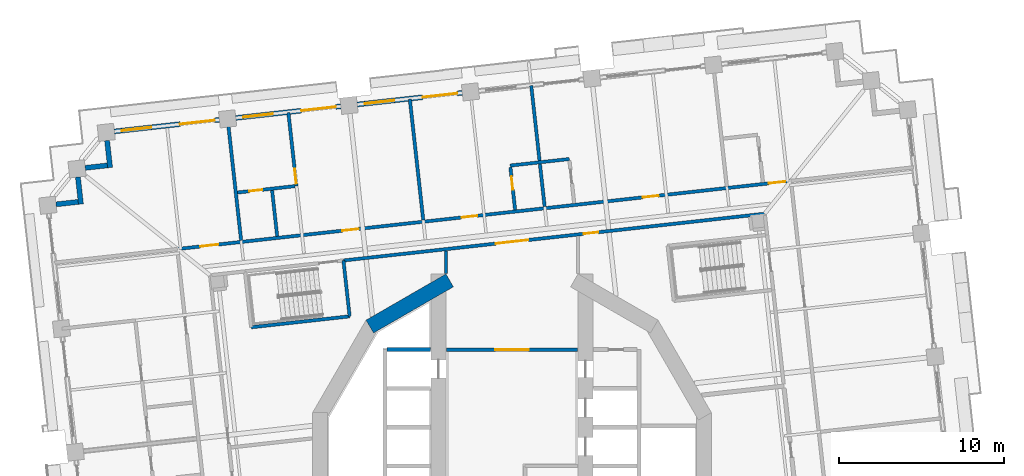
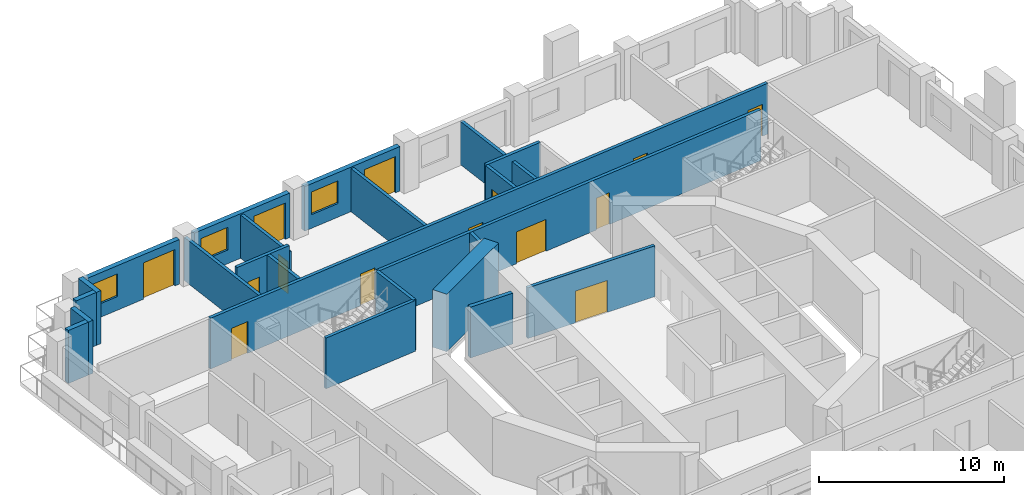
# One storey, part 11 of 21: 23 walls, 14 doors, 3 windows, 17 openings.
"""IFC4 building model written with IfcOpenShell, lengths in metres."""

from ifc_helpers import new_model, si_unit, direction, frame, frame_2d, origin, place, context, subcontext, project, spatial, rectangle, extrude, material, layer, layer_set, type_object, element, fill, save


model = new_model("IFC4")

# Units and contexts
model_context = context("Model", 3, precision=1e-05, world=origin(), true_north=direction((0.0, 1.0)))
body_context = subcontext(model_context, "Body", "Model", "MODEL_VIEW")
ifc_project = project(units=[si_unit("LENGTHUNIT", "METRE"), si_unit("AREAUNIT", "SQUARE_METRE"), si_unit("VOLUMEUNIT", "CUBIC_METRE"), si_unit("PLANEANGLEUNIT", "RADIAN"), si_unit("MASSUNIT", "GRAM", prefix="KILO")], contexts=[model_context])

# Site, building, storey
site_placement = place(None, origin())
site = spatial("IfcSite", under=ifc_project, at=site_placement, CompositionType="ELEMENT")
building_placement = place(site_placement, origin())
building = spatial("IfcBuilding", under=site, at=building_placement, Name="Cantera Rosa Tower", CompositionType="ELEMENT")
storey_placement = place(building_placement, frame((0.0, 0.0, 80.5)))
storey = spatial("IfcBuildingStorey", under=building, at=storey_placement, Name="L17", CompositionType="ELEMENT", Elevation=80.5)

# Wall
ifc_material_1 = material(Name="Gypsum board partition")
ifc_layer_1 = layer(ifc_material_1, 0.199951171875)
ifc_layer_set_1 = layer_set([ifc_layer_1], Name="CORRIDOR WALL 200 H3350")
wall_type_1 = type_object("IfcWallType", Name="CORRIDOR WALL 200 H3350", PredefinedType="PARTITIONING", material=ifc_layer_set_1)
wall_1_placement = place(storey_placement, frame((-4.0, 13.038818359375, 0.0), z_axis=(0.0, 0.0, 1.0), x_axis=(0.0, -1.0, 0.0)))
element("IfcWall", 1, at=wall_1_placement, inside=storey, type_object=wall_type_1, Name="CORRIDOR WALL L17-050", PredefinedType="PARTITIONING", context=body_context, shape_type="SweptSolid", body=[
    extrude(rectangle(XDim=1.37158203125, YDim=0.199951171875, at=frame_2d((0.685791015625, 0.0))), origin(), (0.0, 0.0, 1.0), 3.35009765625),
])

# Wall, opening, door
wall_2_placement = place(storey_placement, frame((-3.969970703125, 7.050048828125, 0.0), z_axis=(0.0, 0.0, 1.0), x_axis=(1.0, 0.0, 0.0)))
wall_2 = element("IfcWall", 2, at=wall_2_placement, inside=storey, type_object=wall_type_1, Name="CORRIDOR WALL L17-051", PredefinedType="PARTITIONING", context=body_context, shape_type="SweptSolid", body=[
    extrude(rectangle(XDim=7.93994140625, YDim=0.199951171875, at=frame_2d((3.969970703125, 0.0))), origin(), (0.0, 0.0, 1.0), 3.35009765625),
])
opening_1_placement = place(wall_2_placement, frame((2.969970703125, 0.0, 0.0)))
opening_1 = element("IfcOpeningElement", 3, at=opening_1_placement, cuts=wall_2, Name="Opening L17-011", PredefinedType="OPENING", context=body_context, shape_type="SweptSolid", body=[
    extrude(rectangle(XDim=2.0, YDim=2.10009765625, at=frame_2d((1.0, 1.050048828125))), frame((0.0, 0.10986328125, 0.0), z_axis=(0.0, -1.0, 0.0), x_axis=(1.0, 0.0, 0.0)), (0.0, 0.0, 1.0), 0.219970703125),
])
ifc_material_2 = material(Name="Steel S355J2 (EN 10025-2)", Category="steel")
door_type_1 = type_object("IfcDoorType", Name="LOBBY SCREEN DOOR 2000x2100", OperationType="NOTDEFINED", PredefinedType="DOOR", material=ifc_material_2)
door_1_placement = place(opening_1_placement, origin())
door_1 = element("IfcDoor", 4, at=door_1_placement, inside=storey, type_object=door_type_1, Name="DOOR L17-011", OperationType="NOTDEFINED", OverallHeight=2.10009765625, OverallWidth=2.0, PredefinedType="DOOR", context=body_context, shape_type="SweptSolid", body=[
    extrude(rectangle(XDim=2.0, YDim=2.10009765625, at=frame_2d((1.0, 1.050048828125))), frame((0.0, 0.02490234375, 0.0), z_axis=(0.0, -1.0, 0.0), x_axis=(1.0, 0.0, 0.0)), (0.0, 0.0, 1.0), 0.050048828125),
])
fill(opening_1, door_1)

# Wall, openings, doors
wall_3_placement = place(storey_placement, frame((15.3076171875, 15.281982421875, 0.0), z_axis=(0.0, 0.0, 1.0), x_axis=(-0.993896137152, -0.110319846599, 0.0)))
wall_3 = element("IfcWall", 5, at=wall_3_placement, inside=storey, type_object=wall_type_1, Name="CORRIDOR WALL L17-086", PredefinedType="PARTITIONING", context=body_context, shape_type="SweptSolid", body=[
    extrude(rectangle(XDim=25.67333984375, YDim=0.199951171875, at=frame_2d((12.836669921875, 0.0))), origin(), (0.0, 0.0, 1.0), 3.35009765625),
])
opening_2_placement = place(wall_3_placement, frame((10.141357421875, 0.0, 0.0)))
opening_2 = element("IfcOpeningElement", 6, at=opening_2_placement, cuts=wall_3, Name="Opening L17-005", PredefinedType="OPENING", context=body_context, shape_type="SweptSolid", body=[
    extrude(rectangle(XDim=0.89990234375, YDim=2.10009765625, at=frame_2d((0.449951171875, 1.050048828125))), frame((0.0, 0.10986328125, 0.0), z_axis=(0.0, -1.0, 0.0), x_axis=(1.0, 0.0, 0.0)), (0.0, 0.0, 1.0), 0.219970703125),
])
opening_3_placement = place(wall_3_placement, frame((14.401611328125, 0.0, 0.0)))
opening_3 = element("IfcOpeningElement", 7, at=opening_3_placement, cuts=wall_3, Name="Opening L17-010", PredefinedType="OPENING", context=body_context, shape_type="SweptSolid", body=[
    extrude(rectangle(XDim=2.0, YDim=2.10009765625, at=frame_2d((1.0, 1.050048828125))), frame((0.0, 0.10986328125, 0.0), z_axis=(0.0, -1.0, 0.0), x_axis=(1.0, 0.0, 0.0)), (0.0, 0.0, 1.0), 0.219970703125),
])
door_2_placement = place(opening_3_placement, origin())
door_2 = element("IfcDoor", 8, at=door_2_placement, inside=storey, type_object=door_type_1, Name="DOOR L17-010", OperationType="NOTDEFINED", OverallHeight=2.10009765625, OverallWidth=2.0, PredefinedType="DOOR", context=body_context, shape_type="SweptSolid", body=[
    extrude(rectangle(XDim=2.0, YDim=2.10009765625, at=frame_2d((1.0, 1.050048828125))), frame((0.0, 0.02490234375, 0.0), z_axis=(0.0, -1.0, 0.0), x_axis=(1.0, 0.0, 0.0)), (0.0, 0.0, 1.0), 0.050048828125),
])
fill(opening_3, door_2)
ifc_material_3 = material(Name="Timber door leaf", Category="wood")
door_type_2 = type_object("IfcDoorType", Name="SERVICE DOOR 900x2100", OperationType="NOTDEFINED", PredefinedType="DOOR", material=ifc_material_3)
door_3_placement = place(opening_2_placement, origin())
door_3 = element("IfcDoor", 9, at=door_3_placement, inside=storey, type_object=door_type_2, Name="DOOR L17-005", OperationType="NOTDEFINED", OverallHeight=2.10009765625, OverallWidth=0.89990234375, PredefinedType="DOOR", context=body_context, shape_type="SweptSolid", body=[
    extrude(rectangle(XDim=0.89990234375, YDim=2.10009765625, at=frame_2d((0.449951171875, 1.050048828125))), frame((0.0, 0.02490234375, 0.0), z_axis=(0.0, -1.0, 0.0), x_axis=(1.0, 0.0, 0.0)), (0.0, 0.0, 1.0), 0.050048828125),
])
fill(opening_2, door_3)

wall_4_placement = place(storey_placement, frame((16.898193359375, 17.26953125, 0.0), z_axis=(0.0, 0.0, 1.0), x_axis=(-0.993896862852, -0.11031330841, 0.0)))
wall_4 = element("IfcWall", 10, at=wall_4_placement, inside=storey, type_object=wall_type_1, Name="CORRIDOR WALL L17-094", PredefinedType="PARTITIONING", context=body_context, shape_type="SweptSolid", body=[
    extrude(rectangle(XDim=37.400146484375, YDim=0.199951171875, at=frame_2d((18.7001953125, 0.0))), origin(), (0.0, 0.0, 1.0), 3.35009765625),
])
opening_4_placement = place(wall_4_placement, frame((8.074951171875, 0.0, 0.0)))
opening_4 = element("IfcOpeningElement", 11, at=opening_4_placement, cuts=wall_4, Name="Opening L17-020", PredefinedType="OPENING", context=body_context, shape_type="SweptSolid", body=[
    extrude(rectangle(XDim=0.949951171875, YDim=2.10009765625, at=frame_2d((0.47509765625, 1.050048828125))), frame((0.0, 0.10986328125, 0.0), z_axis=(0.0, -1.0, 0.0), x_axis=(1.0, 0.0, 0.0)), (0.0, 0.0, 1.0), 0.219970703125),
])
opening_5_placement = place(wall_4_placement, frame((19.125, 0.0, 0.0)))
opening_5 = element("IfcOpeningElement", 12, at=opening_5_placement, cuts=wall_4, Name="Opening L17-022", PredefinedType="OPENING", context=body_context, shape_type="SweptSolid", body=[
    extrude(rectangle(XDim=0.949951171875, YDim=2.10009765625, at=frame_2d((0.47509765625, 1.050048828125))), frame((0.0, 0.10986328125, 0.0), z_axis=(0.0, -1.0, 0.0), x_axis=(1.0, 0.0, 0.0)), (0.0, 0.0, 1.0), 0.219970703125),
])
opening_6_placement = place(wall_4_placement, frame((26.35009765625, 0.0, 0.0)))
opening_6 = element("IfcOpeningElement", 13, at=opening_6_placement, cuts=wall_4, Name="Opening L17-024", PredefinedType="OPENING", context=body_context, shape_type="SweptSolid", body=[
    extrude(rectangle(XDim=1.0, YDim=2.10009765625, at=frame_2d((0.5, 1.050048828125))), frame((0.0, 0.10986328125, 0.0), z_axis=(0.0, -1.0, 0.0), x_axis=(1.0, 0.0, 0.0)), (0.0, 0.0, 1.0), 0.219970703125),
])
opening_7_placement = place(wall_4_placement, frame((0.35009765625, 0.0, 0.0)))
opening_7 = element("IfcOpeningElement", 14, at=opening_7_placement, cuts=wall_4, Name="Opening L17-027", PredefinedType="OPENING", context=body_context, shape_type="SweptSolid", body=[
    extrude(rectangle(XDim=1.0, YDim=2.10009765625, at=frame_2d((0.5, 1.050048828125))), frame((0.0, 0.10986328125, 0.0), z_axis=(0.0, -1.0, 0.0), x_axis=(1.0, 0.0, 0.0)), (0.0, 0.0, 1.0), 0.219970703125),
])
opening_8_placement = place(wall_4_placement, frame((34.89990234375, 0.0, 0.0)))
opening_8 = element("IfcOpeningElement", 15, at=opening_8_placement, cuts=wall_4, Name="Opening L17-029", PredefinedType="OPENING", context=body_context, shape_type="SweptSolid", body=[
    extrude(rectangle(XDim=1.10009765625, YDim=2.10009765625, at=frame_2d((0.550048828125, 1.050048828125))), frame((0.0, 0.10986328125, 0.0), z_axis=(0.0, -1.0, 0.0), x_axis=(1.0, 0.0, 0.0)), (0.0, 0.0, 1.0), 0.219970703125),
])
ifc_material_4 = material(Name="Timber door leaf", Category="wood")
door_type_3 = type_object("IfcDoorType", Name="ENTRANCE DOOR 1000x2100", OperationType="NOTDEFINED", PredefinedType="DOOR", material=ifc_material_4)
door_4_placement = place(opening_6_placement, origin())
door_4 = element("IfcDoor", 16, at=door_4_placement, inside=storey, type_object=door_type_3, Name="DOOR L17-024", OperationType="NOTDEFINED", OverallHeight=2.10009765625, OverallWidth=1.0, PredefinedType="DOOR", context=body_context, shape_type="SweptSolid", body=[
    extrude(rectangle(XDim=1.0, YDim=2.10009765625, at=frame_2d((0.5, 1.050048828125))), frame((0.0, 0.02490234375, 0.0), z_axis=(0.0, -1.0, 0.0), x_axis=(1.0, 0.0, 0.0)), (0.0, 0.0, 1.0), 0.050048828125),
])
fill(opening_6, door_4)
door_5_placement = place(opening_7_placement, origin())
door_5 = element("IfcDoor", 17, at=door_5_placement, inside=storey, type_object=door_type_3, Name="DOOR L17-027", OperationType="NOTDEFINED", OverallHeight=2.10009765625, OverallWidth=1.0, PredefinedType="DOOR", context=body_context, shape_type="SweptSolid", body=[
    extrude(rectangle(XDim=1.0, YDim=2.10009765625, at=frame_2d((0.5, 1.050048828125))), frame((0.0, 0.02490234375, 0.0), z_axis=(0.0, -1.0, 0.0), x_axis=(1.0, 0.0, 0.0)), (0.0, 0.0, 1.0), 0.050048828125),
])
fill(opening_7, door_5)
ifc_material_5 = material(Name="Timber door leaf", Category="wood")
door_type_4 = type_object("IfcDoorType", Name="ROOM DOOR 1100x2100", OperationType="NOTDEFINED", PredefinedType="DOOR", material=ifc_material_5)
door_6_placement = place(opening_8_placement, origin())
door_6 = element("IfcDoor", 18, at=door_6_placement, inside=storey, type_object=door_type_4, Name="DOOR L17-029", OperationType="NOTDEFINED", OverallHeight=2.10009765625, OverallWidth=1.10009765625, PredefinedType="DOOR", context=body_context, shape_type="SweptSolid", body=[
    extrude(rectangle(XDim=1.10009765625, YDim=2.10009765625, at=frame_2d((0.550048828125, 1.050048828125))), frame((0.0, 0.02490234375, 0.0), z_axis=(0.0, -1.0, 0.0), x_axis=(1.0, 0.0, 0.0)), (0.0, 0.0, 1.0), 0.050048828125),
])
fill(opening_8, door_6)
ifc_material_6 = material(Name="Timber door leaf", Category="wood")
door_type_5 = type_object("IfcDoorType", Name="ROOM DOOR 950x2100", OperationType="NOTDEFINED", PredefinedType="DOOR", material=ifc_material_6)
door_7_placement = place(opening_4_placement, origin())
door_7 = element("IfcDoor", 19, at=door_7_placement, inside=storey, type_object=door_type_5, Name="DOOR L17-020", OperationType="NOTDEFINED", OverallHeight=2.10009765625, OverallWidth=0.949951171875, PredefinedType="DOOR", context=body_context, shape_type="SweptSolid", body=[
    extrude(rectangle(XDim=0.949951171875, YDim=2.10009765625, at=frame_2d((0.47509765625, 1.050048828125))), frame((0.0, 0.02490234375, 0.0), z_axis=(0.0, -1.0, 0.0), x_axis=(1.0, 0.0, 0.0)), (0.0, 0.0, 1.0), 0.050048828125),
])
fill(opening_4, door_7)
door_8_placement = place(opening_5_placement, origin())
door_8 = element("IfcDoor", 20, at=door_8_placement, inside=storey, type_object=door_type_5, Name="DOOR L17-022", OperationType="NOTDEFINED", OverallHeight=2.10009765625, OverallWidth=0.949951171875, PredefinedType="DOOR", context=body_context, shape_type="SweptSolid", body=[
    extrude(rectangle(XDim=0.949951171875, YDim=2.10009765625, at=frame_2d((0.47509765625, 1.050048828125))), frame((0.0, 0.02490234375, 0.0), z_axis=(0.0, -1.0, 0.0), x_axis=(1.0, 0.0, 0.0)), (0.0, 0.0, 1.0), 0.050048828125),
])
fill(opening_5, door_8)

# Walls
ifc_material_7 = material(Name="Hollow clay masonry with cantera stone cladding", Category="masonry")
ifc_layer_2 = layer(ifc_material_7, 0.300048828125)
ifc_layer_set_2 = layer_set([ifc_layer_2], Name="EW-LOGGIA 300")
wall_type_2 = type_object("IfcWallType", Name="EW-LOGGIA 300", PredefinedType="SOLIDWALL", material=ifc_layer_set_2)
wall_5_placement = place(storey_placement, frame((-24.5244140625, 19.71484375, 0.0), z_axis=(0.0, 0.0, 1.0), x_axis=(0.110236638423, -0.993905369514, 0.0)))
element("IfcWall", 21, at=wall_5_placement, inside=storey, type_object=wall_type_2, Name="EN-L17-W14a", PredefinedType="SOLIDWALL", context=body_context, shape_type="SweptSolid", body=[
    extrude(rectangle(XDim=1.64990234375, YDim=0.300048828125, at=frame_2d((0.824951171875, 0.0))), origin(), (0.0, 0.0, 1.0), 3.5),
])
wall_6_placement = place(storey_placement, frame((-24.508056640625, 18.20751953125, 0.0), z_axis=(0.0, 0.0, 1.0), x_axis=(-0.993896959738, -0.110312435488, 0.0)))
element("IfcWall", 22, at=wall_6_placement, inside=storey, type_object=wall_type_2, Name="EN-L17-W14b", PredefinedType="SOLIDWALL", context=body_context, shape_type="SweptSolid", body=[
    extrude(rectangle(XDim=1.35009765625, YDim=0.300048828125, at=frame_2d((0.675048828125, 0.0))), origin(), (0.0, 0.0, 1.0), 3.5),
])
wall_7_placement = place(storey_placement, frame((-26.291748046875, 17.506591796875, 0.0), z_axis=(0.0, 0.0, 1.0), x_axis=(0.110382805355, -0.993889146878, 0.0)))
element("IfcWall", 23, at=wall_7_placement, inside=storey, type_object=wall_type_2, Name="EN-L17-W15a", PredefinedType="SOLIDWALL", context=body_context, shape_type="SweptSolid", body=[
    extrude(rectangle(XDim=1.64990234375, YDim=0.300048828125, at=frame_2d((0.824951171875, 0.0))), origin(), (0.0, 0.0, 1.0), 3.5),
])
wall_8_placement = place(storey_placement, frame((-26.275146484375, 15.999267578125, 0.0), z_axis=(0.0, 0.0, 1.0), x_axis=(-0.993896959738, -0.110312435488, 0.0)))
element("IfcWall", 24, at=wall_8_placement, inside=storey, type_object=wall_type_2, Name="EN-L17-W15b", PredefinedType="SOLIDWALL", context=body_context, shape_type="SweptSolid", body=[
    extrude(rectangle(XDim=1.35009765625, YDim=0.300048828125, at=frame_2d((0.675048828125, 0.0))), origin(), (0.0, 0.0, 1.0), 3.5),
])

# Wall, openings, window, door
ifc_material_8 = material(Name="Hollow clay masonry with cantera stone cladding", Category="masonry")
ifc_layer_3 = layer(ifc_material_8, 0.300048828125)
ifc_layer_set_3 = layer_set([ifc_layer_3], Name="EW-LOGGIA 300 H2940")
wall_type_3 = type_object("IfcWallType", Name="EW-LOGGIA 300 H2940", PredefinedType="SOLIDWALL", material=ifc_layer_set_3)
wall_9_placement = place(storey_placement, frame((-3.011962890625, 22.605712890625, 0.0), z_axis=(0.0, 0.0, 1.0), x_axis=(-0.993896288542, -0.110318482689, 0.0)))
wall_9 = element("IfcWall", 25, at=wall_9_placement, inside=storey, type_object=wall_type_3, Name="EN-L17-W11", PredefinedType="SOLIDWALL", context=body_context, shape_type="SweptSolid", body=[
    extrude(rectangle(XDim=6.400146484375, YDim=0.300048828125, at=frame_2d((3.2001953125, 0.0))), origin(), (0.0, 0.0, 1.0), 2.93994140625),
])
opening_9_placement = place(wall_9_placement, frame((0.300048828125, 0.0, 0.0)))
opening_9 = element("IfcOpeningElement", 26, at=opening_9_placement, cuts=wall_9, Name="Opening L17-TD17", PredefinedType="OPENING", context=body_context, shape_type="SweptSolid", body=[
    extrude(rectangle(XDim=2.10009765625, YDim=2.39990234375, at=frame_2d((1.050048828125, 1.199951171875))), frame((0.0, 0.159912109375, 0.0), z_axis=(0.0, -1.0, 0.0), x_axis=(1.0, 0.0, 0.0)), (0.0, 0.0, 1.0), 0.320068359375),
])
opening_10_placement = place(wall_9_placement, frame((4.14990234375, 0.0, 0.89990234375)))
opening_10 = element("IfcOpeningElement", 27, at=opening_10_placement, cuts=wall_9, Name="Opening L17-W18", PredefinedType="OPENING", context=body_context, shape_type="SweptSolid", body=[
    extrude(rectangle(XDim=1.800048828125, YDim=1.5, at=frame_2d((0.89990234375, 0.75))), frame((0.0, 0.159912109375, 0.0), z_axis=(0.0, -1.0, 0.0), x_axis=(1.0, 0.0, 0.0)), (0.0, 0.0, 1.0), 0.320068359375),
])
ifc_material_9 = material(Name="Aluminium frame with clear glass", Category="aluminium")
window_type = type_object("IfcWindowType", Name="Hotel room window 1800x1500", PartitioningType="DOUBLE_PANEL_VERTICAL", PredefinedType="WINDOW", material=ifc_material_9)
window_1_placement = place(opening_10_placement, origin())
window_1 = element("IfcWindow", 28, at=window_1_placement, inside=storey, type_object=window_type, Name="WINDOW L17-W18", OverallHeight=1.5, OverallWidth=1.800048828125, PartitioningType="SINGLE_PANEL", PredefinedType="WINDOW", context=body_context, shape_type="SweptSolid", body=[
    extrude(rectangle(XDim=1.800048828125, YDim=1.5, at=frame_2d((0.89990234375, 0.75))), frame((0.0, 0.030029296875, 0.0), z_axis=(0.0, -1.0, 0.0), x_axis=(1.0, 0.0, 0.0)), (0.0, 0.0, 1.0), 0.06005859375),
])
fill(opening_10, window_1)
ifc_material_10 = material(Name="Aluminium frame with clear glass", Category="aluminium")
door_type_6 = type_object("IfcDoorType", Name="TD-H 2100x2400", OperationType="NOTDEFINED", PredefinedType="DOOR", material=ifc_material_10)
door_9_placement = place(opening_9_placement, origin())
door_9 = element("IfcDoor", 29, at=door_9_placement, inside=storey, type_object=door_type_6, Name="LOGGIA DOOR L17-TD17", OperationType="SLIDING_TO_LEFT", OverallHeight=2.39990234375, OverallWidth=2.10009765625, PredefinedType="DOOR", context=body_context, shape_type="SweptSolid", body=[
    extrude(rectangle(XDim=2.10009765625, YDim=2.39990234375, at=frame_2d((1.050048828125, 1.199951171875))), frame((0.0, 0.02490234375, 0.0), z_axis=(0.0, -1.0, 0.0), x_axis=(1.0, 0.0, 0.0)), (0.0, 0.0, 1.0), 0.050048828125),
])
fill(opening_9, door_9)

wall_10_placement = place(storey_placement, frame((-10.366943359375, 21.789306640625, 0.0), z_axis=(0.0, 0.0, 1.0), x_axis=(-0.993900006422, -0.110284981906, 0.0)))
wall_10 = element("IfcWall", 30, at=wall_10_placement, inside=storey, type_object=wall_type_3, Name="EN-L17-W12", PredefinedType="SOLIDWALL", context=body_context, shape_type="SweptSolid", body=[
    extrude(rectangle(XDim=6.39990234375, YDim=0.300048828125, at=frame_2d((3.199951171875, 0.0))), origin(), (0.0, 0.0, 1.0), 2.93994140625),
])
opening_11_placement = place(wall_10_placement, frame((0.300048828125, 0.0, 0.0)))
opening_11 = element("IfcOpeningElement", 31, at=opening_11_placement, cuts=wall_10, Name="Opening L17-TD19", PredefinedType="OPENING", context=body_context, shape_type="SweptSolid", body=[
    extrude(rectangle(XDim=2.10009765625, YDim=2.39990234375, at=frame_2d((1.050048828125, 1.199951171875))), frame((0.0, 0.159912109375, 0.0), z_axis=(0.0, -1.0, 0.0), x_axis=(1.0, 0.0, 0.0)), (0.0, 0.0, 1.0), 0.320068359375),
])
opening_12_placement = place(wall_10_placement, frame((4.14990234375, 0.0, 0.89990234375)))
opening_12 = element("IfcOpeningElement", 32, at=opening_12_placement, cuts=wall_10, Name="Opening L17-W20", PredefinedType="OPENING", context=body_context, shape_type="SweptSolid", body=[
    extrude(rectangle(XDim=1.800048828125, YDim=1.5, at=frame_2d((0.89990234375, 0.75))), frame((0.0, 0.159912109375, 0.0), z_axis=(0.0, -1.0, 0.0), x_axis=(1.0, 0.0, 0.0)), (0.0, 0.0, 1.0), 0.320068359375),
])
window_2_placement = place(opening_12_placement, origin())
window_2 = element("IfcWindow", 33, at=window_2_placement, inside=storey, type_object=window_type, Name="WINDOW L17-W20", OverallHeight=1.5, OverallWidth=1.800048828125, PartitioningType="SINGLE_PANEL", PredefinedType="WINDOW", context=body_context, shape_type="SweptSolid", body=[
    extrude(rectangle(XDim=1.800048828125, YDim=1.5, at=frame_2d((0.89990234375, 0.75))), frame((0.0, 0.030029296875, 0.0), z_axis=(0.0, -1.0, 0.0), x_axis=(1.0, 0.0, 0.0)), (0.0, 0.0, 1.0), 0.06005859375),
])
fill(opening_12, window_2)
door_10_placement = place(opening_11_placement, origin())
door_10 = element("IfcDoor", 34, at=door_10_placement, inside=storey, type_object=door_type_6, Name="LOGGIA DOOR L17-TD19", OperationType="SLIDING_TO_LEFT", OverallHeight=2.39990234375, OverallWidth=2.10009765625, PredefinedType="DOOR", context=body_context, shape_type="SweptSolid", body=[
    extrude(rectangle(XDim=2.10009765625, YDim=2.39990234375, at=frame_2d((1.050048828125, 1.199951171875))), frame((0.0, 0.02490234375, 0.0), z_axis=(0.0, -1.0, 0.0), x_axis=(1.0, 0.0, 0.0)), (0.0, 0.0, 1.0), 0.050048828125),
])
fill(opening_11, door_10)

wall_11_placement = place(storey_placement, frame((-17.7216796875, 20.97314453125, 0.0), z_axis=(0.0, 0.0, 1.0), x_axis=(-0.993896288542, -0.110318482689, 0.0)))
wall_11 = element("IfcWall", 35, at=wall_11_placement, inside=storey, type_object=wall_type_3, Name="EN-L17-W13", PredefinedType="SOLIDWALL", context=body_context, shape_type="SweptSolid", body=[
    extrude(rectangle(XDim=6.400146484375, YDim=0.300048828125, at=frame_2d((3.2001953125, 0.0))), origin(), (0.0, 0.0, 1.0), 2.93994140625),
])
opening_13_placement = place(wall_11_placement, frame((0.300048828125, 0.0, 0.0)))
opening_13 = element("IfcOpeningElement", 36, at=opening_13_placement, cuts=wall_11, Name="Opening L17-TD21", PredefinedType="OPENING", context=body_context, shape_type="SweptSolid", body=[
    extrude(rectangle(XDim=2.10009765625, YDim=2.39990234375, at=frame_2d((1.050048828125, 1.199951171875))), frame((0.0, 0.159912109375, 0.0), z_axis=(0.0, -1.0, 0.0), x_axis=(1.0, 0.0, 0.0)), (0.0, 0.0, 1.0), 0.320068359375),
])
opening_14_placement = place(wall_11_placement, frame((4.14990234375, 0.0, 0.89990234375)))
opening_14 = element("IfcOpeningElement", 37, at=opening_14_placement, cuts=wall_11, Name="Opening L17-W22", PredefinedType="OPENING", context=body_context, shape_type="SweptSolid", body=[
    extrude(rectangle(XDim=1.800048828125, YDim=1.5, at=frame_2d((0.89990234375, 0.75))), frame((0.0, 0.159912109375, 0.0), z_axis=(0.0, -1.0, 0.0), x_axis=(1.0, 0.0, 0.0)), (0.0, 0.0, 1.0), 0.320068359375),
])
window_3_placement = place(opening_14_placement, origin())
window_3 = element("IfcWindow", 38, at=window_3_placement, inside=storey, type_object=window_type, Name="WINDOW L17-W22", OverallHeight=1.5, OverallWidth=1.800048828125, PartitioningType="SINGLE_PANEL", PredefinedType="WINDOW", context=body_context, shape_type="SweptSolid", body=[
    extrude(rectangle(XDim=1.800048828125, YDim=1.5, at=frame_2d((0.89990234375, 0.75))), frame((0.0, 0.030029296875, 0.0), z_axis=(0.0, -1.0, 0.0), x_axis=(1.0, 0.0, 0.0)), (0.0, 0.0, 1.0), 0.06005859375),
])
fill(opening_14, window_3)
door_11_placement = place(opening_13_placement, origin())
door_11 = element("IfcDoor", 39, at=door_11_placement, inside=storey, type_object=door_type_6, Name="LOGGIA DOOR L17-TD21", OperationType="SLIDING_TO_LEFT", OverallHeight=2.39990234375, OverallWidth=2.10009765625, PredefinedType="DOOR", context=body_context, shape_type="SweptSolid", body=[
    extrude(rectangle(XDim=2.10009765625, YDim=2.39990234375, at=frame_2d((1.050048828125, 1.199951171875))), frame((0.0, 0.02490234375, 0.0), z_axis=(0.0, -1.0, 0.0), x_axis=(1.0, 0.0, 0.0)), (0.0, 0.0, 1.0), 0.050048828125),
])
fill(opening_13, door_11)

# Wall, opening, door
ifc_material_11 = material(Name="Gypsum board partition")
ifc_layer_4 = layer(ifc_material_11, 0.199951171875)
ifc_layer_set_4 = layer_set([ifc_layer_4], Name="PARTITION 200 H2850")
wall_type_4 = type_object("IfcWallType", Name="PARTITION 200 H2850", PredefinedType="PARTITIONING", material=ifc_layer_set_4)
wall_12_placement = place(storey_placement, frame((-13.544189453125, 21.406494140625, 0.0), z_axis=(0.0, 0.0, 1.0), x_axis=(0.11032961514, -0.993895052822, 0.0)))
wall_12 = element("IfcWall", 40, at=wall_12_placement, inside=storey, type_object=wall_type_4, Name="PARTITION L17-028", PredefinedType="PARTITIONING", context=body_context, shape_type="SweptSolid", body=[
    extrude(rectangle(XDim=4.469970703125, YDim=0.199951171875, at=frame_2d((2.23486328125, 0.0))), origin(), (0.0, 0.0, 1.0), 2.85009765625),
])
opening_15_placement = place(wall_12_placement, frame((3.419921875, 0.0, 0.0)))
opening_15 = element("IfcOpeningElement", 41, at=opening_15_placement, cuts=wall_12, Name="Opening L17-025", PredefinedType="OPENING", context=body_context, shape_type="SweptSolid", body=[
    extrude(rectangle(XDim=0.89990234375, YDim=2.10009765625, at=frame_2d((0.449951171875, 1.050048828125))), frame((0.0, 0.10986328125, 0.0), z_axis=(0.0, -1.0, 0.0), x_axis=(1.0, 0.0, 0.0)), (0.0, 0.0, 1.0), 0.219970703125),
])
ifc_material_12 = material(Name="Timber door leaf", Category="wood")
door_type_7 = type_object("IfcDoorType", Name="ROOM DOOR 900x2100", OperationType="NOTDEFINED", PredefinedType="DOOR", material=ifc_material_12)
door_12_placement = place(opening_15_placement, origin())
door_12 = element("IfcDoor", 42, at=door_12_placement, inside=storey, type_object=door_type_7, Name="DOOR L17-025", OperationType="NOTDEFINED", OverallHeight=2.10009765625, OverallWidth=0.89990234375, PredefinedType="DOOR", context=body_context, shape_type="SweptSolid", body=[
    extrude(rectangle(XDim=0.89990234375, YDim=2.10009765625, at=frame_2d((0.449951171875, 1.050048828125))), frame((0.0, 0.02490234375, 0.0), z_axis=(0.0, -1.0, 0.0), x_axis=(1.0, 0.0, 0.0)), (0.0, 0.0, 1.0), 0.050048828125),
])
fill(opening_15, door_12)

# Wall
ifc_material_13 = material(Name="Gypsum board partition")
ifc_layer_5 = layer(ifc_material_13, 0.199951171875)
ifc_layer_set_5 = layer_set([ifc_layer_5], Name="PARTITION 200 H3350")
wall_type_5 = type_object("IfcWallType", Name="PARTITION 200 H3350", PredefinedType="PARTITIONING", material=ifc_layer_set_5)
wall_13_placement = place(storey_placement, frame((-14.53076171875, 16.698974609375, 0.0), z_axis=(0.0, 0.0, 1.0), x_axis=(0.110297547524, -0.993898612038, 0.0)))
element("IfcWall", 43, at=wall_13_placement, inside=storey, type_object=wall_type_5, Name="PARTITION L17-025", PredefinedType="PARTITIONING", context=body_context, shape_type="SweptSolid", body=[
    extrude(rectangle(XDim=2.800048828125, YDim=0.199951171875, at=frame_2d((1.39990234375, 0.0))), origin(), (0.0, 0.0, 1.0), 3.35009765625),
])

# Wall, opening, door
wall_14_placement = place(storey_placement, frame((-13.150390625, 16.952880859375, 0.0), z_axis=(0.0, 0.0, 1.0), x_axis=(-0.993892238629, -0.11035496361, 0.0)))
wall_14 = element("IfcWall", 44, at=wall_14_placement, inside=storey, type_object=wall_type_5, Name="PARTITION L17-029", PredefinedType="PARTITIONING", context=body_context, shape_type="SweptSolid", body=[
    extrude(rectangle(XDim=3.5, YDim=0.199951171875, at=frame_2d((1.75, 0.0))), origin(), (0.0, 0.0, 1.0), 3.35009765625),
])
opening_16_placement = place(wall_14_placement, frame((1.989990234375, 0.0, 0.0)))
opening_16 = element("IfcOpeningElement", 45, at=opening_16_placement, cuts=wall_14, Name="Opening L17-026", PredefinedType="OPENING", context=body_context, shape_type="SweptSolid", body=[
    extrude(rectangle(XDim=0.800048828125, YDim=2.10009765625, at=frame_2d((0.39990234375, 1.050048828125))), frame((0.0, 0.10986328125, 0.0), z_axis=(0.0, -1.0, 0.0), x_axis=(1.0, 0.0, 0.0)), (0.0, 0.0, 1.0), 0.219970703125),
])
ifc_material_14 = material(Name="Timber door leaf", Category="wood")
door_type_8 = type_object("IfcDoorType", Name="BATHROOM DOOR 800x2100", OperationType="NOTDEFINED", PredefinedType="DOOR", material=ifc_material_14)
door_13_placement = place(opening_16_placement, origin())
door_13 = element("IfcDoor", 46, at=door_13_placement, inside=storey, type_object=door_type_8, Name="DOOR L17-026", OperationType="NOTDEFINED", OverallHeight=2.10009765625, OverallWidth=0.800048828125, PredefinedType="DOOR", context=body_context, shape_type="SweptSolid", body=[
    extrude(rectangle(XDim=0.800048828125, YDim=2.10009765625, at=frame_2d((0.39990234375, 1.050048828125))), frame((0.0, 0.02490234375, 0.0), z_axis=(0.0, -1.0, 0.0), x_axis=(1.0, 0.0, 0.0)), (0.0, 0.0, 1.0), 0.050048828125),
])
fill(opening_16, door_13)

# Wall
wall_15_placement = place(storey_placement, frame((-0.1083984375, 18.19921875, 0.0), z_axis=(0.0, 0.0, 1.0), x_axis=(0.993901915549, 0.110267775292, 0.0)))
element("IfcWall", 47, at=wall_15_placement, inside=storey, type_object=wall_type_5, Name="PARTITION L17-052", PredefinedType="PARTITIONING", context=body_context, shape_type="SweptSolid", body=[
    extrude(rectangle(XDim=3.60009765625, YDim=0.199951171875, at=frame_2d((1.800048828125, 0.0))), origin(), (0.0, 0.0, 1.0), 3.35009765625),
])

# Wall, opening, door
wall_16_placement = place(storey_placement, frame((0.189697265625, 15.515625, 0.0), z_axis=(0.0, 0.0, 1.0), x_axis=(-0.110338765449, 0.993894037028, 0.0)))
wall_16 = element("IfcWall", 48, at=wall_16_placement, inside=storey, type_object=wall_type_5, Name="PARTITION L17-053", PredefinedType="PARTITIONING", context=body_context, shape_type="SweptSolid", body=[
    extrude(rectangle(XDim=2.599853515625, YDim=0.199951171875, at=frame_2d((1.2998046875, 0.0))), origin(), (0.0, 0.0, 1.0), 3.35009765625),
])
opening_17_placement = place(wall_16_placement, frame((1.236083984375, 0.0, 0.0)))
opening_17 = element("IfcOpeningElement", 49, at=opening_17_placement, cuts=wall_16, Name="Opening L17-023", PredefinedType="OPENING", context=body_context, shape_type="SweptSolid", body=[
    extrude(rectangle(XDim=0.800048828125, YDim=2.10009765625, at=frame_2d((0.39990234375, 1.050048828125))), frame((0.0, 0.10986328125, 0.0), z_axis=(0.0, -1.0, 0.0), x_axis=(1.0, 0.0, 0.0)), (0.0, 0.0, 1.0), 0.219970703125),
])
door_14_placement = place(opening_17_placement, origin())
door_14 = element("IfcDoor", 50, at=door_14_placement, inside=storey, type_object=door_type_8, Name="DOOR L17-023", OperationType="NOTDEFINED", OverallHeight=2.10009765625, OverallWidth=0.800048828125, PredefinedType="DOOR", context=body_context, shape_type="SweptSolid", body=[
    extrude(rectangle(XDim=0.800048828125, YDim=2.10009765625, at=frame_2d((0.39990234375, 1.050048828125))), frame((0.0, 0.02490234375, 0.0), z_axis=(0.0, -1.0, 0.0), x_axis=(1.0, 0.0, 0.0)), (0.0, 0.0, 1.0), 0.050048828125),
])
fill(opening_17, door_14)

# Walls
ifc_material_15 = material(Name="Gypsum board partition")
ifc_layer_6 = layer(ifc_material_15, 0.199951171875)
ifc_layer_set_6 = layer_set([ifc_layer_6], Name="PARTY WALL 200 H2850")
wall_type_6 = type_object("IfcWallType", Name="PARTY WALL 200 H2850", PredefinedType="PARTITIONING", material=ifc_layer_set_6)
for number, where, z_axis, x_axis, name in (
    (51, (-16.408447265625, 13.67333984375, 0.0), (0.0, 0.0, 1.0), (-0.11031154238, 0.993897058864, 0.0), "PARTY WALL L17-019"),
    (52, (-5.376220703125, 14.89794921875, 0.0), (0.0, 0.0, 1.0), (-0.11031154238, 0.993897058864, 0.0), "PARTY WALL L17-047"),
):
    element("IfcWall", number, at=place(storey_placement, frame(where, z_axis=z_axis, x_axis=x_axis)), inside=storey, type_object=wall_type_6, Name=name, PredefinedType="PARTITIONING", context=body_context, shape_type="SweptSolid", body=[
        extrude(rectangle(XDim=7.369873046875, YDim=0.199951171875, at=frame_2d((3.68505859375, 0.0))), origin(), (0.0, 0.0, 1.0), 2.85009765625),
    ])
wall_17_placement = place(storey_placement, frame((1.978515625, 15.714111328125, 0.0), z_axis=(0.0, 0.0, 1.0), x_axis=(-0.110307910555, 0.993897461949, 0.0)))
element("IfcWall", 53, at=wall_17_placement, inside=storey, type_object=wall_type_6, Name="PARTY WALL L17-056", PredefinedType="PARTITIONING", context=body_context, shape_type="SweptSolid", body=[
    extrude(rectangle(XDim=7.3701171875, YDim=0.199951171875, at=frame_2d((3.68505859375, 0.0))), origin(), (0.0, 0.0, 1.0), 2.85009765625),
])
ifc_material_16 = material(Name="Concrete C70/85", Category="concrete")
ifc_layer_7 = layer(ifc_material_16, 0.89990234375)
ifc_layer_set_7 = layer_set([ifc_layer_7], Name="RC CORE WALL 900 C70/85")
wall_type_7 = type_object("IfcWallType", Name="RC CORE WALL 900 C70/85", PredefinedType="SHEAR", material=ifc_layer_set_7)
wall_18_placement = place(storey_placement, frame((-8.61376953125, 8.44921875, 0.0), z_axis=(0.0, 0.0, 1.0), x_axis=(0.866026961591, 0.49999730179, 0.0)))
element("IfcWall", 54, at=wall_18_placement, inside=storey, type_object=wall_type_7, Name="CW-W5 L17", PredefinedType="SHEAR", context=body_context, shape_type="SweptSolid", body=[
    extrude(rectangle(XDim=5.58740234375, YDim=0.89990234375, at=frame_2d((2.793701171875, 0.0))), origin(), (0.0, 0.0, 1.0), 3.800048828125),
])
ifc_material_17 = material(Name="Masonry blockwork", Category="masonry")
ifc_layer_8 = layer(ifc_material_17, 0.25)
ifc_layer_set_8 = layer_set([ifc_layer_8], Name="SHAFT WALL 250 H3350")
wall_type_8 = type_object("IfcWallType", Name="SHAFT WALL 250 H3350", PredefinedType="SOLIDWALL", material=ifc_layer_set_8)
wall_19_placement = place(storey_placement, frame((-4.929931640625, 7.050048828125, 0.0), z_axis=(0.0, 0.0, 1.0), x_axis=(-1.0, 0.0, 0.0)))
element("IfcWall", 55, at=wall_19_placement, inside=storey, type_object=wall_type_8, Name="SHAFT WALL L17-048", PredefinedType="SOLIDWALL", context=body_context, shape_type="SweptSolid", body=[
    extrude(rectangle(XDim=2.650146484375, YDim=0.25, at=frame_2d((1.3251953125, 0.0))), origin(), (0.0, 0.0, 1.0), 3.35009765625),
])
ifc_material_18 = material(Name="Concrete C50/60", Category="concrete")
ifc_layer_9 = layer(ifc_material_18, 0.199951171875)
ifc_layer_set_9 = layer_set([ifc_layer_9], Name="STAIR WALL 200 H3350")
wall_type_9 = type_object("IfcWallType", Name="STAIR WALL 200 H3350", PredefinedType="SOLIDWALL", material=ifc_layer_set_9)
wall_20_placement = place(storey_placement, frame((-15.796875, 8.404296875, 0.0), z_axis=(0.0, 0.0, 1.0), x_axis=(0.993897125329, 0.110310943534, 0.0)))
element("IfcWall", 56, at=wall_20_placement, inside=storey, type_object=wall_type_9, Name="STAIR WALL L17-022", PredefinedType="SOLIDWALL", context=body_context, shape_type="SweptSolid", body=[
    extrude(rectangle(XDim=6.0, YDim=0.199951171875, at=frame_2d((3.0, 0.0))), origin(), (0.0, 0.0, 1.0), 3.35009765625),
])
wall_21_placement = place(storey_placement, frame((-9.83349609375, 9.066162109375, 0.0), z_axis=(0.0, 0.0, 1.0), x_axis=(-0.110297715324, 0.993898593416, 0.0)))
element("IfcWall", 57, at=wall_21_placement, inside=storey, type_object=wall_type_9, Name="STAIR WALL L17-036", PredefinedType="SOLIDWALL", context=body_context, shape_type="SweptSolid", body=[
    extrude(rectangle(XDim=3.404296875, YDim=0.199951171875, at=frame_2d((1.7021484375, 0.0))), origin(), (0.0, 0.0, 1.0), 3.35009765625),
])

save(model, "model.ifc")
